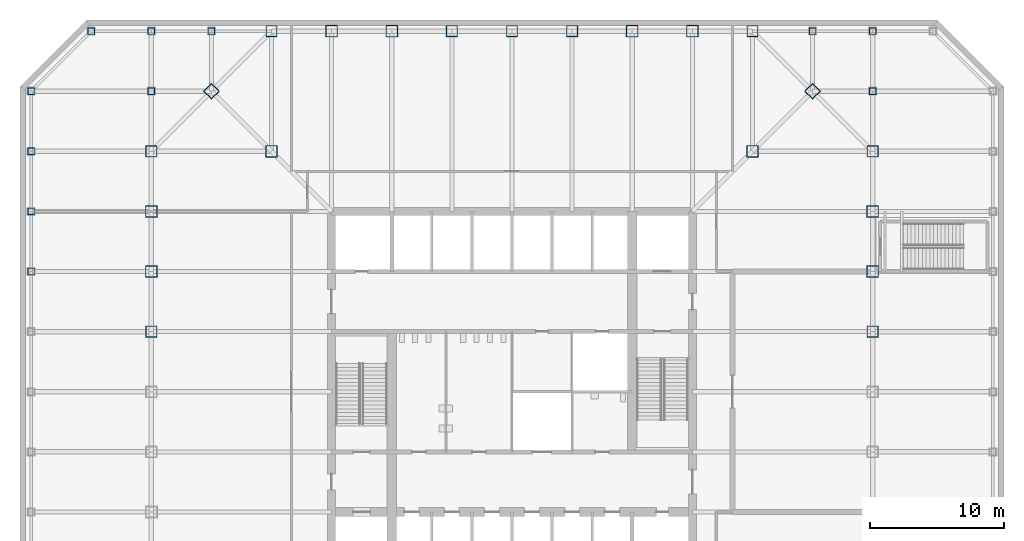
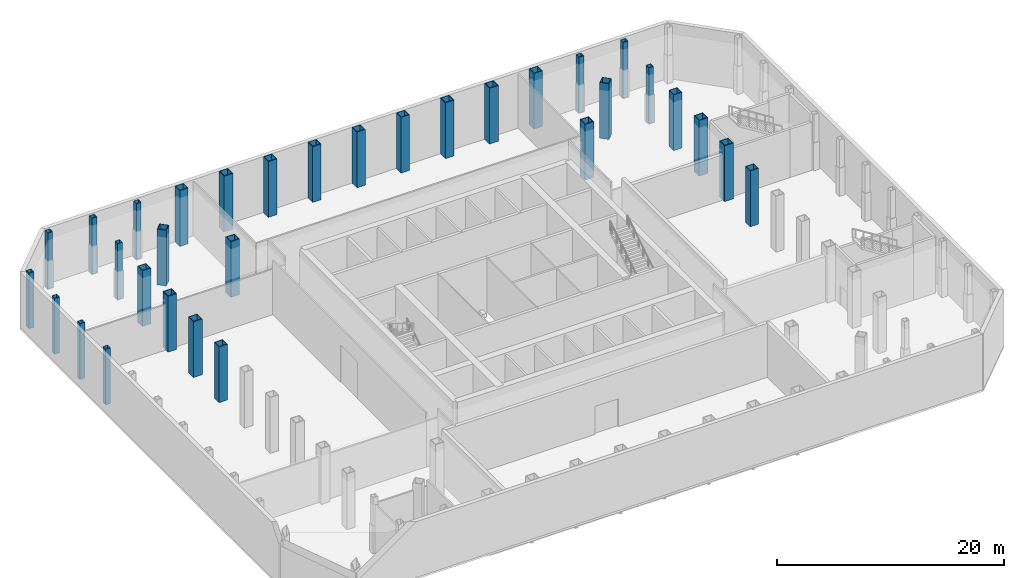
# One storey, part 2 of 12: 32 columns.
"""IFC4 building model written with IfcOpenShell, lengths in metres."""

from ifc_helpers import new_model, si_unit, direction, frame, origin, origin_2d, place, context, subcontext, project, spatial, hollow_rectangle, extrude, material, material_profile, profile_set, type_object, element, save


model = new_model("IFC4")

# Units and contexts
model_context = context("Model", 3, precision=1e-05, world=origin(), true_north=direction((0.0, 1.0)))
body_context = subcontext(model_context, "Body", "Model", "MODEL_VIEW")
ifc_project = project(units=[si_unit("LENGTHUNIT", "METRE"), si_unit("AREAUNIT", "SQUARE_METRE"), si_unit("VOLUMEUNIT", "CUBIC_METRE"), si_unit("PLANEANGLEUNIT", "RADIAN"), si_unit("MASSUNIT", "GRAM", prefix="KILO")], contexts=[model_context])

# Site, building, storey
site_placement = place(None, origin())
site = spatial("IfcSite", under=ifc_project, at=site_placement, CompositionType="ELEMENT")
building_placement = place(site_placement, origin())
building = spatial("IfcBuilding", under=site, at=building_placement, Name="Corais Broadcast Tower", CompositionType="ELEMENT")
storey_placement = place(building_placement, frame((0.0, 0.0, 6.0)))
storey = spatial("IfcBuildingStorey", under=building, at=storey_placement, Name="L01", CompositionType="ELEMENT", Elevation=6.0)

# Columns
ifc_material_1 = material(Name="Steel ASTM A572 Grade 50", Category="steel")
ifc_material_profile_1 = material_profile(ifc_material_1, hollow_rectangle(XDim=0.5, YDim=0.5, WallThickness=0.02197265625, at=origin_2d()), Name="BOX 500x500x22")
ifc_profile_set_1 = profile_set([ifc_material_profile_1], Name="Steel ASTM A572 Grade 50")
column_type_1 = type_object("IfcColumnType", Name="Column BOX 500x500x22", PredefinedType="COLUMN", material=ifc_profile_set_1)
for number, where, z_axis, x_axis, name in (
    (1, (-9.0, 36.0, 0.0), (0.0, 0.0, 1.0), (1.0, 0.0, 0.0), "C9 J/1"),
    (2, (-9.0, 40.5, 0.0), (0.0, 0.0, 1.0), (1.0, 0.0, 0.0), "C9 K/1"),
    (3, (-9.0, 45.0, 0.0), (0.0, 0.0, 1.0), (1.0, 0.0, 0.0), "C9 L/1"),
    (4, (-9.0, 49.5, 0.0), (0.0, 0.0, 1.0), (1.0, 0.0, 0.0), "C9 M/1"),
    (5, (-4.5, 54.0, 0.0), (0.0, 0.0, 1.0), (1.0, 0.0, 0.0), "C9 N/2"),
    (6, (54.0, 54.0, 0.0), (0.0, 0.0, 1.0), (1.0, 0.0, 0.0), "C9 N/15"),
    (7, (49.5, 54.0, 0.0), (0.0, 0.0, 1.0), (1.0, 0.0, 0.0), "C9 N/14"),
    (8, (54.0, 49.5, 0.0), (0.0, 0.0, 1.0), (1.0, 0.0, 0.0), "C9 M/15"),
    (9, (0.0, 54.0, 0.0), (0.0, 0.0, 1.0), (1.0, 0.0, 0.0), "C9 N/3"),
    (10, (4.5, 54.0, 0.0), (0.0, 0.0, 1.0), (1.0, 0.0, 0.0), "C9 N/4"),
    (11, (0.0, 49.5, 0.0), (0.0, 0.0, 1.0), (1.0, 0.0, 0.0), "C9 M/3"),
):
    element("IfcColumn", number, at=place(storey_placement, frame(where, z_axis=z_axis, x_axis=x_axis)), inside=storey, type_object=column_type_1, Name=name, PredefinedType="COLUMN", context=body_context, shape_type="SweptSolid", body=[
        extrude(hollow_rectangle(XDim=0.5, YDim=0.5, WallThickness=0.02197265625, at=origin_2d()), origin(), (0.0, 0.0, 1.0), 6.0),
    ])
ifc_material_2 = material(Name="Steel ASTM A572 Grade 50", Category="steel")
ifc_material_profile_2 = material_profile(ifc_material_2, hollow_rectangle(XDim=0.85009765625, YDim=0.85009765625, WallThickness=0.050048828125, at=origin_2d()), Name="BOX 850x850x50")
ifc_profile_set_2 = profile_set([ifc_material_profile_2], Name="Steel ASTM A572 Grade 50")
column_type_2 = type_object("IfcColumnType", Name="Column BOX 850x850x50", PredefinedType="COLUMN", material=ifc_profile_set_2)
for number, where, z_axis, x_axis, name in (
    (12, (54.0, 31.5, 0.0), (0.0, 0.0, 1.0), (1.0, 0.0, 0.0), "C1 H/15"),
    (13, (54.0, 45.0, 0.0), (0.0, 0.0, 1.0), (1.0, 0.0, 0.0), "C1 L/15"),
    (14, (45.0, 54.0, 0.0), (0.0, 0.0, 1.0), (1.0, 0.0, 0.0), "C1 N/13"),
    (15, (31.5, 54.0, 0.0), (0.0, 0.0, 1.0), (1.0, 0.0, 0.0), "C1 N/10"),
    (16, (27.0, 54.0, 0.0), (0.0, 0.0, 1.0), (1.0, 0.0, 0.0), "C1 N/9"),
    (17, (22.5, 54.0, 0.0), (0.0, 0.0, 1.0), (1.0, 0.0, 0.0), "C1 N/8"),
    (18, (9.0, 54.0, 0.0), (0.0, 0.0, 1.0), (1.0, 0.0, 0.0), "C1 N/5"),
    (19, (0.0, 45.0, 0.0), (0.0, 0.0, 1.0), (1.0, 0.0, 0.0), "C1 L/3"),
    (20, (0.0, 31.5, 0.0), (0.0, 0.0, 1.0), (1.0, 0.0, 0.0), "C1 H/3"),
    (21, (49.5, 49.5, 0.0), (0.0, 0.0, 1.0), (0.707106781187, 0.707106781187, 0.0), "C1 M/14"),
    (22, (4.5, 49.5, 0.0), (0.0, 0.0, 1.0), (0.707106781187, 0.707106781187, 0.0), "C1 M/4"),
):
    element("IfcColumn", number, at=place(storey_placement, frame(where, z_axis=z_axis, x_axis=x_axis)), inside=storey, type_object=column_type_2, Name=name, PredefinedType="COLUMN", context=body_context, shape_type="SweptSolid", body=[
        extrude(hollow_rectangle(XDim=0.85009765625, YDim=0.85009765625, WallThickness=0.050048828125, at=origin_2d()), origin(), (0.0, 0.0, 1.0), 6.0),
    ])
ifc_material_3 = material(Name="Steel ASTM A572 Grade 50", Category="steel")
ifc_material_profile_3 = material_profile(ifc_material_3, hollow_rectangle(XDim=0.89990234375, YDim=0.89990234375, WallThickness=0.06298828125, at=origin_2d()), Name="BOX 900x900x63")
ifc_profile_set_3 = profile_set([ifc_material_profile_3], Name="Steel ASTM A572 Grade 50")
column_type_3 = type_object("IfcColumnType", Name="Column BOX 900x900x63", PredefinedType="COLUMN", material=ifc_profile_set_3)
for number, where, z_axis, x_axis, name in (
    (23, (54.0, 36.0, 0.0), (0.0, 0.0, 1.0), (1.0, 0.0, 0.0), "C2 J/15"),
    (24, (54.0, 40.5, 0.0), (0.0, 0.0, 1.0), (1.0, 0.0, 0.0), "C2 K/15"),
    (25, (40.5, 54.0, 0.0), (0.0, 0.0, 1.0), (1.0, 0.0, 0.0), "C2 N/12"),
    (26, (36.0, 54.0, 0.0), (0.0, 0.0, 1.0), (1.0, 0.0, 0.0), "C2 N/11"),
    (27, (18.0, 54.0, 0.0), (0.0, 0.0, 1.0), (1.0, 0.0, 0.0), "C2 N/7"),
    (28, (13.5, 54.0, 0.0), (0.0, 0.0, 1.0), (1.0, 0.0, 0.0), "C2 N/6"),
    (29, (0.0, 40.5, 0.0), (0.0, 0.0, 1.0), (1.0, 0.0, 0.0), "C2 K/3"),
    (30, (0.0, 36.0, 0.0), (0.0, 0.0, 1.0), (1.0, 0.0, 0.0), "C2 J/3"),
    (31, (45.0, 45.0, 0.0), (0.0, 0.0, 1.0), (1.0, 0.0, 0.0), "C2 L/13"),
    (32, (9.0, 45.0, 0.0), (0.0, 0.0, 1.0), (1.0, 0.0, 0.0), "C2 L/5"),
):
    element("IfcColumn", number, at=place(storey_placement, frame(where, z_axis=z_axis, x_axis=x_axis)), inside=storey, type_object=column_type_3, Name=name, PredefinedType="COLUMN", context=body_context, shape_type="SweptSolid", body=[
        extrude(hollow_rectangle(XDim=0.89990234375, YDim=0.89990234375, WallThickness=0.06298828125, at=origin_2d()), origin(), (0.0, 0.0, 1.0), 6.0),
    ])

save(model, "model.ifc")
